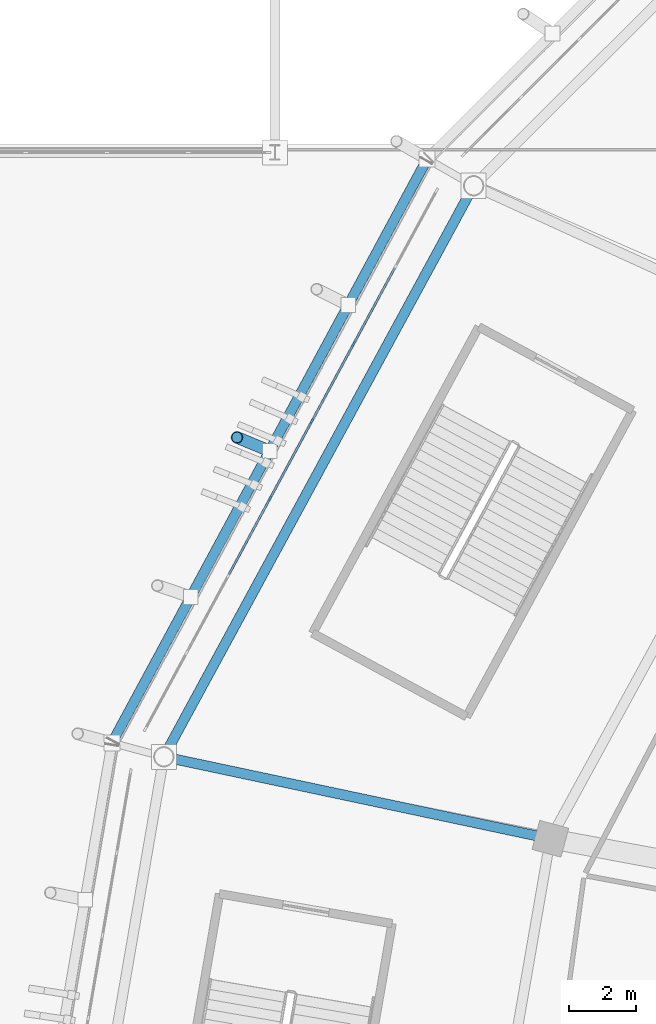
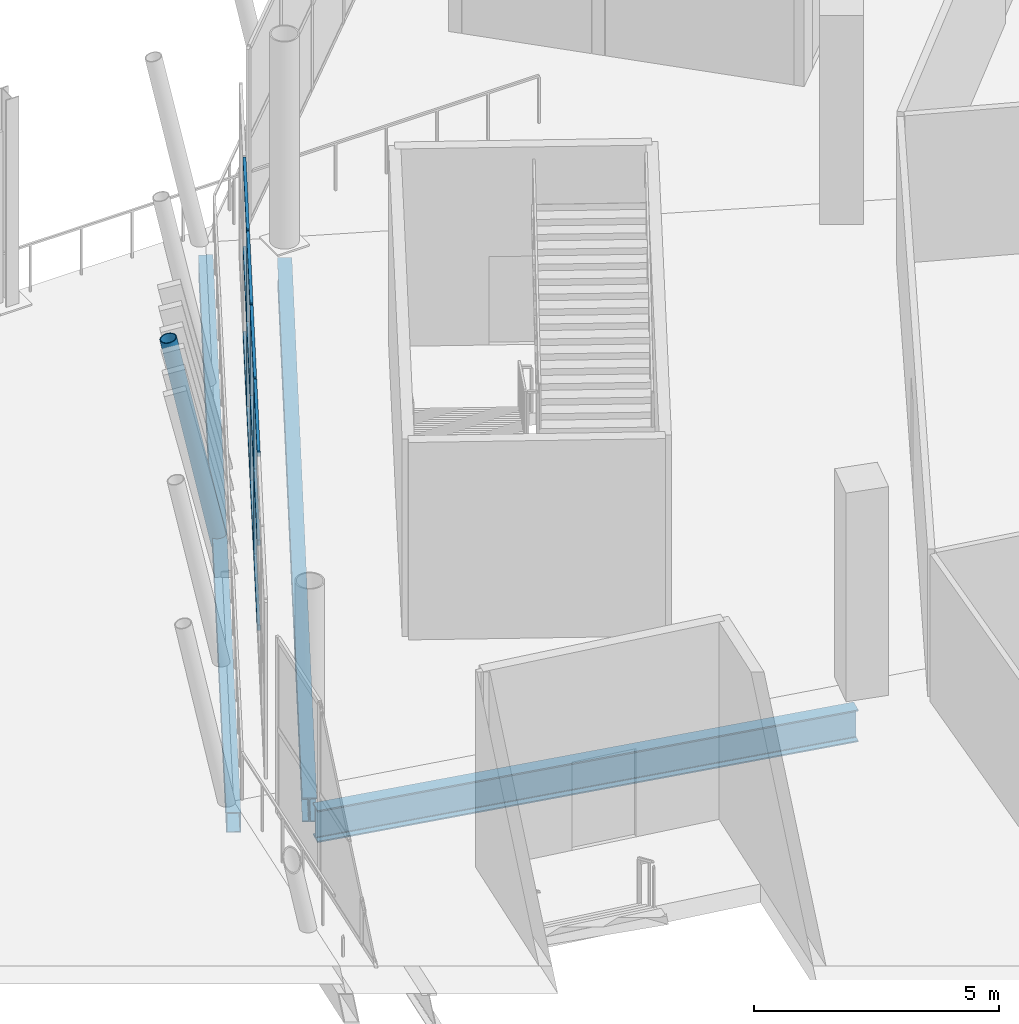
# One storey, part 44 of 178: 16 members, 3 beams, 1 element without a shape of its own.
"""IFC4 building model written with IfcOpenShell, lengths in metres."""

from ifc_helpers import new_model, si_unit, direction, frame, origin, origin_2d, place, context, subcontext, project, spatial, rectangle, hollow_rectangle, hollow_circle, i_section, extrude, material, material_profile, profile_set, type_object, element, aggregate, save


model = new_model("IFC4")

# Units and contexts
model_context = context("Model", 3, precision=1e-05, world=origin(), true_north=direction((0.0, 1.0)))
body_context = subcontext(model_context, "Body", "Model", "MODEL_VIEW")
ifc_project = project(units=[si_unit("LENGTHUNIT", "METRE"), si_unit("AREAUNIT", "SQUARE_METRE"), si_unit("VOLUMEUNIT", "CUBIC_METRE"), si_unit("PLANEANGLEUNIT", "RADIAN"), si_unit("MASSUNIT", "GRAM", prefix="KILO")], contexts=[model_context])

# Site, building, storey
site_placement = place(None, origin())
site = spatial("IfcSite", under=ifc_project, at=site_placement, CompositionType="ELEMENT")
building_placement = place(site_placement, origin())
building = spatial("IfcBuilding", under=site, at=building_placement, Name="Zlatoyarsky Gate Stadium", CompositionType="ELEMENT")
storey_placement = place(building_placement, frame((0.0, 0.0, 5.39990234375)))
storey = spatial("IfcBuildingStorey", under=building, at=storey_placement, Name="L01", CompositionType="ELEMENT", Elevation=5.39990234375)

# Curtain wall, members
ifc_material_1 = material(Name="Thermally broken anodised aluminium curtain wall", Category="aluminium")
curtain_wall_type = type_object("IfcCurtainWallType", Name="UNITISED HOSPITALITY GLAZING L01", PredefinedType="USERDEFINED", material=ifc_material_1)
curtain_wall_placement = place(storey_placement, origin())
curtain_wall = element("IfcCurtainWall", 1, at=curtain_wall_placement, inside=storey, type_object=curtain_wall_type, Name="Curtain wall CW-L01-10", ObjectType="UNITISED GLAZING", PredefinedType="USERDEFINED")
ifc_material_2 = material(Name="Anodised aluminium 6063-T6", Category="aluminium")
ifc_material_profile_1 = material_profile(ifc_material_2, rectangle(XDim=0.06494140625, YDim=0.159912109375, at=origin_2d()), Name="ALU 65X160")
ifc_profile_set_1 = profile_set([ifc_material_profile_1], Name="Anodised aluminium 6063-T6")
member_type_1 = type_object("IfcMemberType", Name="ALUMINIUM MULLION 65X160", PredefinedType="MULLION", material=ifc_profile_set_1)
member_1_placement = place(storey_placement, frame((26.85986328125, 110.754150390625, 0.0), z_axis=(0.0, 0.0, 1.0), x_axis=(0.879562033396, -0.475784225682, 0.0)))
member_1 = element("IfcMember", 2, at=member_1_placement, type_object=member_type_1, Name="CW-UG1 mullion 3", PredefinedType="MULLION", context=body_context, shape_type="SweptSolid", body=[
    extrude(rectangle(XDim=0.06494140625, YDim=0.159912109375, at=origin_2d()), origin(), (0.0, 0.0, 1.0), 4.400146484375),
])
member_2_placement = place(storey_placement, frame((25.608154296875, 108.43994140625, 0.0), z_axis=(0.0, 0.0, 1.0), x_axis=(0.879562033396, -0.475784225682, 0.0)))
member_2 = element("IfcMember", 3, at=member_2_placement, type_object=member_type_1, Name="CW-UG1 mullion 4", PredefinedType="MULLION", context=body_context, shape_type="SweptSolid", body=[
    extrude(rectangle(XDim=0.06494140625, YDim=0.159912109375, at=origin_2d()), origin(), (0.0, 0.0, 1.0), 4.400146484375),
])
member_3_placement = place(storey_placement, frame((24.356201171875, 106.125732421875, 0.0), z_axis=(0.0, 0.0, 1.0), x_axis=(0.879562033396, -0.475784225682, 0.0)))
member_3 = element("IfcMember", 4, at=member_3_placement, type_object=member_type_1, Name="CW-UG1 mullion 5", PredefinedType="MULLION", context=body_context, shape_type="SweptSolid", body=[
    extrude(rectangle(XDim=0.06494140625, YDim=0.159912109375, at=origin_2d()), origin(), (0.0, 0.0, 1.0), 4.400146484375),
])
ifc_material_profile_2 = material_profile(ifc_material_2, rectangle(XDim=0.06494140625, YDim=0.139892578125, at=origin_2d()), Name="ALU 65X140")
ifc_profile_set_2 = profile_set([ifc_material_profile_2], Name="Anodised aluminium 6063-T6")
member_type_2 = type_object("IfcMemberType", Name="ALUMINIUM TRANSOM 65X140", PredefinedType="USERDEFINED", material=ifc_profile_set_2)
member_4_placement = place(storey_placement, frame((28.09619140625, 113.039794921875, 0.03271484375), z_axis=(-0.475716021552, -0.87959892385, 0.0), x_axis=(0.87959892385, -0.475716021552, 0.0)))
member_4 = element("IfcMember", 5, at=member_4_placement, type_object=member_type_2, Name="CW-UG1 transom 2.1", ObjectType="TRANSOM", PredefinedType="USERDEFINED", context=body_context, shape_type="SweptSolid", body=[
    extrude(rectangle(XDim=0.06494140625, YDim=0.139892578125, at=origin_2d()), origin(), (0.0, 0.0, 1.0), 2.56591796875),
])
member_5_placement = place(storey_placement, frame((28.09619140625, 113.039794921875, 2.150146484375), z_axis=(-0.475716021552, -0.87959892385, 0.0), x_axis=(0.87959892385, -0.475716021552, 0.0)))
member_5 = element("IfcMember", 6, at=member_5_placement, type_object=member_type_2, Name="CW-UG1 transom 2.2", ObjectType="TRANSOM", PredefinedType="USERDEFINED", context=body_context, shape_type="SweptSolid", body=[
    extrude(rectangle(XDim=0.06494140625, YDim=0.139892578125, at=origin_2d()), origin(), (0.0, 0.0, 1.0), 2.56591796875),
])
member_6_placement = place(storey_placement, frame((28.09619140625, 113.039794921875, 4.36767578125), z_axis=(-0.475716021552, -0.87959892385, 0.0), x_axis=(0.87959892385, -0.475716021552, 0.0)))
member_6 = element("IfcMember", 7, at=member_6_placement, type_object=member_type_2, Name="CW-UG1 transom 2.3", ObjectType="TRANSOM", PredefinedType="USERDEFINED", context=body_context, shape_type="SweptSolid", body=[
    extrude(rectangle(XDim=0.06494140625, YDim=0.139892578125, at=origin_2d()), origin(), (0.0, 0.0, 1.0), 2.56591796875),
])
member_7_placement = place(storey_placement, frame((26.844482421875, 110.7255859375, 0.03271484375), z_axis=(-0.475789628306, -0.879559110916, 0.0), x_axis=(0.879559110916, -0.475789628306, 0.0)))
member_7 = element("IfcMember", 8, at=member_7_placement, type_object=member_type_2, Name="CW-UG1 transom 3.1", ObjectType="TRANSOM", PredefinedType="USERDEFINED", context=body_context, shape_type="SweptSolid", body=[
    extrude(rectangle(XDim=0.06494140625, YDim=0.139892578125, at=origin_2d()), origin(), (0.0, 0.0, 1.0), 2.566162109375),
])
member_8_placement = place(storey_placement, frame((26.844482421875, 110.7255859375, 2.150146484375), z_axis=(-0.475789628306, -0.879559110916, 0.0), x_axis=(0.879559110916, -0.475789628306, 0.0)))
member_8 = element("IfcMember", 9, at=member_8_placement, type_object=member_type_2, Name="CW-UG1 transom 3.2", ObjectType="TRANSOM", PredefinedType="USERDEFINED", context=body_context, shape_type="SweptSolid", body=[
    extrude(rectangle(XDim=0.06494140625, YDim=0.139892578125, at=origin_2d()), origin(), (0.0, 0.0, 1.0), 2.566162109375),
])
member_9_placement = place(storey_placement, frame((26.844482421875, 110.7255859375, 4.36767578125), z_axis=(-0.475789628306, -0.879559110916, 0.0), x_axis=(0.879559110916, -0.475789628306, 0.0)))
member_9 = element("IfcMember", 10, at=member_9_placement, type_object=member_type_2, Name="CW-UG1 transom 3.3", ObjectType="TRANSOM", PredefinedType="USERDEFINED", context=body_context, shape_type="SweptSolid", body=[
    extrude(rectangle(XDim=0.06494140625, YDim=0.139892578125, at=origin_2d()), origin(), (0.0, 0.0, 1.0), 2.566162109375),
])
member_10_placement = place(storey_placement, frame((25.592529296875, 108.411376953125, 0.03271484375), z_axis=(-0.475789628306, -0.879559110916, 0.0), x_axis=(0.879559110916, -0.475789628306, 0.0)))
member_10 = element("IfcMember", 11, at=member_10_placement, type_object=member_type_2, Name="CW-UG1 transom 4.1", ObjectType="TRANSOM", PredefinedType="USERDEFINED", context=body_context, shape_type="SweptSolid", body=[
    extrude(rectangle(XDim=0.06494140625, YDim=0.139892578125, at=origin_2d()), origin(), (0.0, 0.0, 1.0), 2.566162109375),
])
member_11_placement = place(storey_placement, frame((25.592529296875, 108.411376953125, 2.150146484375), z_axis=(-0.475789628306, -0.879559110916, 0.0), x_axis=(0.879559110916, -0.475789628306, 0.0)))
member_11 = element("IfcMember", 12, at=member_11_placement, type_object=member_type_2, Name="CW-UG1 transom 4.2", ObjectType="TRANSOM", PredefinedType="USERDEFINED", context=body_context, shape_type="SweptSolid", body=[
    extrude(rectangle(XDim=0.06494140625, YDim=0.139892578125, at=origin_2d()), origin(), (0.0, 0.0, 1.0), 2.566162109375),
])
member_12_placement = place(storey_placement, frame((25.592529296875, 108.411376953125, 4.36767578125), z_axis=(-0.475789628306, -0.879559110916, 0.0), x_axis=(0.879559110916, -0.475789628306, 0.0)))
member_12 = element("IfcMember", 13, at=member_12_placement, type_object=member_type_2, Name="CW-UG1 transom 4.3", ObjectType="TRANSOM", PredefinedType="USERDEFINED", context=body_context, shape_type="SweptSolid", body=[
    extrude(rectangle(XDim=0.06494140625, YDim=0.139892578125, at=origin_2d()), origin(), (0.0, 0.0, 1.0), 2.566162109375),
])
member_13_placement = place(storey_placement, frame((24.3408203125, 106.09716796875, 0.03271484375), z_axis=(-0.475789628306, -0.879559110916, 0.0), x_axis=(0.879559110916, -0.475789628306, 0.0)))
member_13 = element("IfcMember", 14, at=member_13_placement, type_object=member_type_2, Name="CW-UG1 transom 5.1", ObjectType="TRANSOM", PredefinedType="USERDEFINED", context=body_context, shape_type="SweptSolid", body=[
    extrude(rectangle(XDim=0.06494140625, YDim=0.139892578125, at=origin_2d()), origin(), (0.0, 0.0, 1.0), 2.566162109375),
])
member_14_placement = place(storey_placement, frame((24.3408203125, 106.09716796875, 2.150146484375), z_axis=(-0.475789628306, -0.879559110916, 0.0), x_axis=(0.879559110916, -0.475789628306, 0.0)))
member_14 = element("IfcMember", 15, at=member_14_placement, type_object=member_type_2, Name="CW-UG1 transom 5.2", ObjectType="TRANSOM", PredefinedType="USERDEFINED", context=body_context, shape_type="SweptSolid", body=[
    extrude(rectangle(XDim=0.06494140625, YDim=0.139892578125, at=origin_2d()), origin(), (0.0, 0.0, 1.0), 2.566162109375),
])
member_15_placement = place(storey_placement, frame((24.3408203125, 106.09716796875, 4.36767578125), z_axis=(-0.475789628306, -0.879559110916, 0.0), x_axis=(0.879559110916, -0.475789628306, 0.0)))
member_15 = element("IfcMember", 16, at=member_15_placement, type_object=member_type_2, Name="CW-UG1 transom 5.3", ObjectType="TRANSOM", PredefinedType="USERDEFINED", context=body_context, shape_type="SweptSolid", body=[
    extrude(rectangle(XDim=0.06494140625, YDim=0.139892578125, at=origin_2d()), origin(), (0.0, 0.0, 1.0), 2.566162109375),
])
aggregate(curtain_wall, [member_1, member_2, member_3, member_4, member_5, member_6, member_7, member_8, member_9, member_10, member_11, member_12, member_13, member_14, member_15])

# Member
ifc_material_3 = material(Name="Steel S355", Category="steel")
ifc_material_profile_3 = material_profile(ifc_material_3, hollow_circle(Radius=0.177734375, WallThickness=0.02001953125, at=origin_2d()), Name="CHS 355.6X20")
ifc_profile_set_3 = profile_set([ifc_material_profile_3], Name="Steel S355")
member_type_3 = type_object("IfcMemberType", Name="STEEL LEANING RIB RING STRUT CHS 355.6X20", PredefinedType="STRUT", material=ifc_profile_set_3)
member_16_placement = place(storey_placement, frame((24.3408203125, 107.54833984375, -0.5498046875), z_axis=(-0.183536253805, 0.07604561565, 0.98006709356), x_axis=(-0.382779713358, -0.923839645741, 0.0)))
element("IfcMember", 17, at=member_16_placement, inside=storey, type_object=member_type_3, Name="Outward-leaning bowl louvre fin rib L01 10-2", PredefinedType="STRUT", context=body_context, shape_type="SweptSolid", body=[
    extrude(hollow_circle(Radius=0.177734375, WallThickness=0.02001953125, at=origin_2d()), origin(), (0.0, 0.0, 1.0), 5.326171875),
])

# Beams
ifc_material_profile_4 = material_profile(ifc_material_3, hollow_rectangle(XDim=0.300048828125, YDim=0.5, WallThickness=0.02001953125, at=origin_2d()), Name="RHS 500X300X20")
ifc_profile_set_4 = profile_set([ifc_material_profile_4], Name="Steel S355")
beam_type_1 = type_object("IfcBeamType", Name="STEEL LOUVRE CARRIER SPANDREL RHS 500X300X20", PredefinedType="SPANDREL", material=ifc_profile_set_4)
beam_1_placement = place(storey_placement, frame((29.05712890625, 116.28662109375, -0.5498046875), z_axis=(-0.474955117661, -0.880010020516, 0.0), x_axis=(0.880010020516, -0.474955117661, 0.0)))
element("IfcBeam", 18, at=beam_1_placement, inside=storey, type_object=beam_type_1, Name="Beam SP-RHS500 BM-L01-SPD-10", PredefinedType="SPANDREL", context=body_context, shape_type="SweptSolid", body=[
    extrude(hollow_rectangle(XDim=0.300048828125, YDim=0.5, WallThickness=0.02001953125, at=origin_2d()), origin(), (0.0, 0.0, 1.0), 19.859619140625),
])
ifc_material_profile_5 = material_profile(ifc_material_3, i_section(OverallWidth=0.300048828125, OverallDepth=0.60009765625, WebThickness=0.015380859375, FlangeThickness=0.030029296875, FilletRadius=0.027099609375, at=origin_2d()), Name="HEB 600")
ifc_profile_set_5 = profile_set([ifc_material_profile_5], Name="Steel S355")
beam_type_2 = type_object("IfcBeamType", Name="STEEL PRIMARY GIRDER HEB 600", PredefinedType="BEAM", material=ifc_profile_set_5)
beam_2_placement = place(storey_placement, frame((30.40234375, 115.39453125, -0.599853515625), z_axis=(-0.476891650323, -0.878962088973, 0.0), x_axis=(0.878962088973, -0.476891650323, 0.0)))
element("IfcBeam", 19, at=beam_2_placement, inside=storey, type_object=beam_type_2, Name="Beam G-HEB600 BM-L01-CRC-10", PredefinedType="BEAM", context=body_context, shape_type="SweptSolid", body=[
    extrude(i_section(OverallWidth=0.300048828125, OverallDepth=0.60009765625, WebThickness=0.015380859375, FlangeThickness=0.030029296875, FilletRadius=0.027099609375, at=origin_2d()), origin(), (0.0, 0.0, 1.0), 19.241943359375),
])
ifc_material_profile_6 = material_profile(ifc_material_3, i_section(OverallWidth=0.300048828125, OverallDepth=0.800048828125, WebThickness=0.017578125, FlangeThickness=0.032958984375, FilletRadius=0.030029296875, at=origin_2d()), Name="HEB 800")
ifc_profile_set_6 = profile_set([ifc_material_profile_6], Name="Steel S355")
beam_type_3 = type_object("IfcBeamType", Name="STEEL PRIMARY GIRDER HEB 800", PredefinedType="BEAM", material=ifc_profile_set_6)
beam_3_placement = place(storey_placement, frame((32.642578125, 95.9423828125, -0.85986328125), z_axis=(-0.978233348926, 0.207507867438, 0.0), x_axis=(-0.207507867438, -0.978233348926, 0.0)))
element("IfcBeam", 20, at=beam_3_placement, inside=storey, type_object=beam_type_3, Name="Beam G-HEB800 BM-L01-RBC-11", PredefinedType="BEAM", context=body_context, shape_type="SweptSolid", body=[
    extrude(i_section(OverallWidth=0.300048828125, OverallDepth=0.800048828125, WebThickness=0.017578125, FlangeThickness=0.032958984375, FilletRadius=0.030029296875, at=origin_2d()), origin(), (0.0, 0.0, 1.0), 11.60888671875),
])

save(model, "model.ifc")
